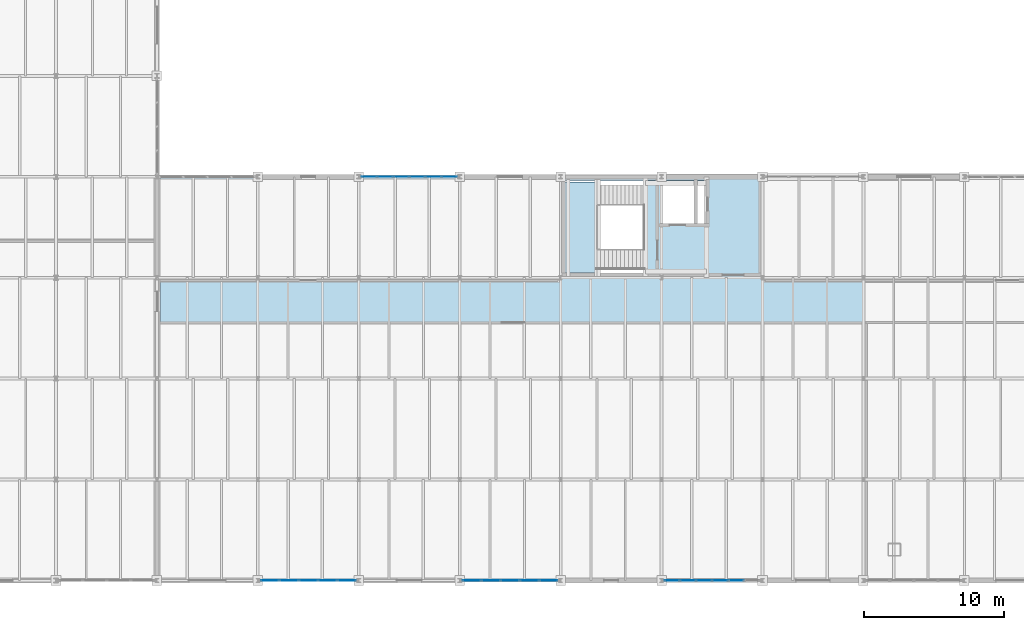
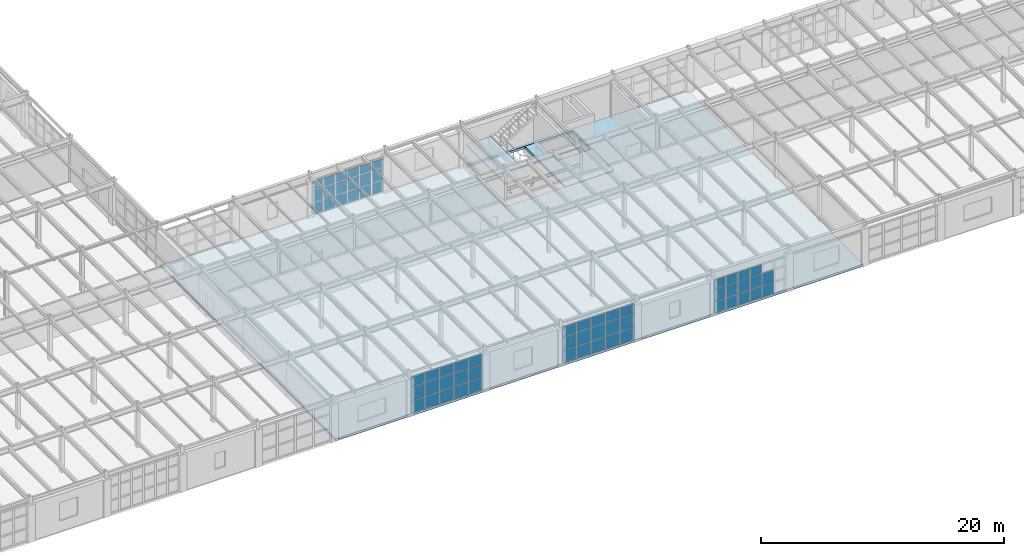
# One storey, part 111 of 137: 62 plates, 3 slabs, 5 elements without a shape of their own.
"""IFC4 building model written with IfcOpenShell, lengths in metres."""

from ifc_helpers import new_model, si_unit, direction, frame, origin, origin_2d, place, context, subcontext, project, spatial, polyline, rectangle, outline, extrude, material, layer, layer_set, type_object, element, aggregate, save


model = new_model("IFC4")

# Units and contexts
model_context = context("Model", 3, precision=1e-05, world=origin(), true_north=direction((0.0, 1.0)))
body_context = subcontext(model_context, "Body", "Model", "MODEL_VIEW")
ifc_project = project(units=[si_unit("LENGTHUNIT", "METRE"), si_unit("AREAUNIT", "SQUARE_METRE"), si_unit("VOLUMEUNIT", "CUBIC_METRE"), si_unit("PLANEANGLEUNIT", "RADIAN"), si_unit("MASSUNIT", "GRAM", prefix="KILO")], contexts=[model_context])

# Site, building, storey
site_placement = place(None, origin())
site = spatial("IfcSite", under=ifc_project, at=site_placement, CompositionType="ELEMENT")
building_placement = place(site_placement, origin())
building = spatial("IfcBuilding", under=site, at=building_placement, Name="Kemerveld Promenade Tramway Depot", CompositionType="ELEMENT")
storey_placement = place(building_placement, frame((0.0, 0.0, 5.39990234375)))
storey = spatial("IfcBuildingStorey", under=building, at=storey_placement, Name="L01", CompositionType="ELEMENT", Elevation=5.39990234375)

# Curtain wall, plates
ifc_material_1 = material(Name="Bronze anodised aluminium and solar glass", Category="aluminium")
ifc_layer_1 = layer(ifc_material_1, 0.199951171875)
ifc_layer_set_1 = layer_set([ifc_layer_1], Name="CW-SYS-12")
curtain_wall_type_1 = type_object("IfcCurtainWallType", Name="CW-SYS-12", PredefinedType="USERDEFINED", material=ifc_layer_set_1)
curtain_wall_1_placement = place(storey_placement, origin())
curtain_wall_1 = element("IfcCurtainWall", 1, at=curtain_wall_1_placement, inside=storey, type_object=curtain_wall_type_1, Name="CW-L01-V4S-09", ObjectType="GLAZED_CURTAIN_WALL", PredefinedType="USERDEFINED")
ifc_material_2 = material(Name="Solar-control laminated double glazing", Category="glass")
ifc_layer_2 = layer(ifc_material_2, 0.031982421875)
ifc_layer_set_2 = layer_set([ifc_layer_2], Name="CW-PNL-04")
plate_type_1 = type_object("IfcPlateType", Name="CW-PNL-04", PredefinedType="CURTAIN_PANEL", material=ifc_layer_set_2)
plate_1_placement = place(storey_placement, frame((98.925048828125, 0.0, 0.06494140625), z_axis=(0.0, 0.0, 1.0), x_axis=(-1.0, 0.0, 0.0)))
plate_1 = element("IfcPlate", 2, at=plate_1_placement, type_object=plate_type_1, Name="CW12 panel 2.1", PredefinedType="CURTAIN_PANEL", context=body_context, shape_type="SweptSolid", body=[
    extrude(rectangle(XDim=1.074951171875, YDim=0.031982421875, at=origin_2d()), origin(), (0.0, 0.0, 1.0), 1.097412109375),
])
plate_2_placement = place(storey_placement, frame((98.925048828125, 0.0, 1.2275390625), z_axis=(0.0, 0.0, 1.0), x_axis=(-1.0, 0.0, 0.0)))
plate_2 = element("IfcPlate", 3, at=plate_2_placement, type_object=plate_type_1, Name="CW12 panel 2.2", PredefinedType="CURTAIN_PANEL", context=body_context, shape_type="SweptSolid", body=[
    extrude(rectangle(XDim=1.074951171875, YDim=0.031982421875, at=origin_2d()), origin(), (0.0, 0.0, 1.0), 1.197998046875),
])
plate_3_placement = place(storey_placement, frame((97.77490234375, 0.0, 0.06494140625), z_axis=(0.0, 0.0, 1.0), x_axis=(-1.0, 0.0, 0.0)))
plate_3 = element("IfcPlate", 4, at=plate_3_placement, type_object=plate_type_1, Name="CW12 panel 3.1", PredefinedType="CURTAIN_PANEL", context=body_context, shape_type="SweptSolid", body=[
    extrude(rectangle(XDim=1.074951171875, YDim=0.031982421875, at=origin_2d()), origin(), (0.0, 0.0, 1.0), 1.097412109375),
])
plate_4_placement = place(storey_placement, frame((97.77490234375, 0.0, 1.2275390625), z_axis=(0.0, 0.0, 1.0), x_axis=(-1.0, 0.0, 0.0)))
plate_4 = element("IfcPlate", 5, at=plate_4_placement, type_object=plate_type_1, Name="CW12 panel 3.2", PredefinedType="CURTAIN_PANEL", context=body_context, shape_type="SweptSolid", body=[
    extrude(rectangle(XDim=1.074951171875, YDim=0.031982421875, at=origin_2d()), origin(), (0.0, 0.0, 1.0), 1.197998046875),
])
plate_5_placement = place(storey_placement, frame((97.77490234375, 0.0, 2.49072265625), z_axis=(0.0, 0.0, 1.0), x_axis=(-1.0, 0.0, 0.0)))
plate_5 = element("IfcPlate", 6, at=plate_5_placement, type_object=plate_type_1, Name="CW12 panel 3.3", PredefinedType="CURTAIN_PANEL", context=body_context, shape_type="SweptSolid", body=[
    extrude(rectangle(XDim=1.074951171875, YDim=0.031982421875, at=origin_2d()), origin(), (0.0, 0.0, 1.0), 0.858642578125),
])
plate_6_placement = place(storey_placement, frame((96.625, 0.0, 0.06494140625), z_axis=(0.0, 0.0, 1.0), x_axis=(-1.0, 0.0, 0.0)))
plate_6 = element("IfcPlate", 7, at=plate_6_placement, type_object=plate_type_1, Name="CW12 panel 4.1", PredefinedType="CURTAIN_PANEL", context=body_context, shape_type="SweptSolid", body=[
    extrude(rectangle(XDim=1.074951171875, YDim=0.031982421875, at=origin_2d()), origin(), (0.0, 0.0, 1.0), 1.097412109375),
])
plate_7_placement = place(storey_placement, frame((96.625, 0.0, 1.2275390625), z_axis=(0.0, 0.0, 1.0), x_axis=(-1.0, 0.0, 0.0)))
plate_7 = element("IfcPlate", 8, at=plate_7_placement, type_object=plate_type_1, Name="CW12 panel 4.2", PredefinedType="CURTAIN_PANEL", context=body_context, shape_type="SweptSolid", body=[
    extrude(rectangle(XDim=1.074951171875, YDim=0.031982421875, at=origin_2d()), origin(), (0.0, 0.0, 1.0), 1.197998046875),
])
plate_8_placement = place(storey_placement, frame((96.625, 0.0, 2.49072265625), z_axis=(0.0, 0.0, 1.0), x_axis=(-1.0, 0.0, 0.0)))
plate_8 = element("IfcPlate", 9, at=plate_8_placement, type_object=plate_type_1, Name="CW12 panel 4.3", PredefinedType="CURTAIN_PANEL", context=body_context, shape_type="SweptSolid", body=[
    extrude(rectangle(XDim=1.074951171875, YDim=0.031982421875, at=origin_2d()), origin(), (0.0, 0.0, 1.0), 0.858642578125),
])
plate_9_placement = place(storey_placement, frame((95.47509765625, 0.0, 0.06494140625), z_axis=(0.0, 0.0, 1.0), x_axis=(-1.0, 0.0, 0.0)))
plate_9 = element("IfcPlate", 10, at=plate_9_placement, type_object=plate_type_1, Name="CW12 panel 5.1", PredefinedType="CURTAIN_PANEL", context=body_context, shape_type="SweptSolid", body=[
    extrude(rectangle(XDim=1.074951171875, YDim=0.031982421875, at=origin_2d()), origin(), (0.0, 0.0, 1.0), 1.097412109375),
])
plate_10_placement = place(storey_placement, frame((95.47509765625, 0.0, 1.2275390625), z_axis=(0.0, 0.0, 1.0), x_axis=(-1.0, 0.0, 0.0)))
plate_10 = element("IfcPlate", 11, at=plate_10_placement, type_object=plate_type_1, Name="CW12 panel 5.2", PredefinedType="CURTAIN_PANEL", context=body_context, shape_type="SweptSolid", body=[
    extrude(rectangle(XDim=1.074951171875, YDim=0.031982421875, at=origin_2d()), origin(), (0.0, 0.0, 1.0), 1.197998046875),
])
plate_11_placement = place(storey_placement, frame((95.47509765625, 0.0, 2.49072265625), z_axis=(0.0, 0.0, 1.0), x_axis=(-1.0, 0.0, 0.0)))
plate_11 = element("IfcPlate", 12, at=plate_11_placement, type_object=plate_type_1, Name="CW12 panel 5.3", PredefinedType="CURTAIN_PANEL", context=body_context, shape_type="SweptSolid", body=[
    extrude(rectangle(XDim=1.074951171875, YDim=0.031982421875, at=origin_2d()), origin(), (0.0, 0.0, 1.0), 0.858642578125),
])
plate_12_placement = place(storey_placement, frame((94.34375, 0.0, 0.06494140625), z_axis=(0.0, 0.0, 1.0), x_axis=(-1.0, 0.0, 0.0)))
plate_12 = element("IfcPlate", 13, at=plate_12_placement, type_object=plate_type_1, Name="CW12 panel 6.1", PredefinedType="CURTAIN_PANEL", context=body_context, shape_type="SweptSolid", body=[
    extrude(rectangle(XDim=1.037353515625, YDim=0.031982421875, at=origin_2d()), origin(), (0.0, 0.0, 1.0), 1.097412109375),
])
plate_13_placement = place(storey_placement, frame((94.34375, 0.0, 1.2275390625), z_axis=(0.0, 0.0, 1.0), x_axis=(-1.0, 0.0, 0.0)))
plate_13 = element("IfcPlate", 14, at=plate_13_placement, type_object=plate_type_1, Name="CW12 panel 6.2", PredefinedType="CURTAIN_PANEL", context=body_context, shape_type="SweptSolid", body=[
    extrude(rectangle(XDim=1.037353515625, YDim=0.031982421875, at=origin_2d()), origin(), (0.0, 0.0, 1.0), 1.197998046875),
])
plate_14_placement = place(storey_placement, frame((94.34375, 0.0, 2.49072265625), z_axis=(0.0, 0.0, 1.0), x_axis=(-1.0, 0.0, 0.0)))
plate_14 = element("IfcPlate", 15, at=plate_14_placement, type_object=plate_type_1, Name="CW12 panel 6.3", PredefinedType="CURTAIN_PANEL", context=body_context, shape_type="SweptSolid", body=[
    extrude(rectangle(XDim=1.037353515625, YDim=0.031982421875, at=origin_2d()), origin(), (0.0, 0.0, 1.0), 0.858642578125),
])
aggregate(curtain_wall_1, [plate_1, plate_2, plate_3, plate_4, plate_5, plate_6, plate_7, plate_8, plate_9, plate_10, plate_11, plate_12, plate_13, plate_14])

ifc_layer_3 = layer(ifc_material_1, 0.199951171875)
ifc_layer_set_3 = layer_set([ifc_layer_3], Name="CW-SYS-14")
curtain_wall_type_2 = type_object("IfcCurtainWallType", Name="CW-SYS-14", PredefinedType="USERDEFINED", material=ifc_layer_set_3)
curtain_wall_2_placement = place(storey_placement, origin())
curtain_wall_2 = element("IfcCurtainWall", 16, at=curtain_wall_2_placement, inside=storey, type_object=curtain_wall_type_2, Name="CW-L01-V4S-11", ObjectType="GLAZED_CURTAIN_WALL", PredefinedType="USERDEFINED")
ifc_layer_4 = layer(ifc_material_2, 0.02587890625)
ifc_layer_set_4 = layer_set([ifc_layer_4], Name="CW-PNL-06")
plate_type_2 = type_object("IfcPlateType", Name="CW-PNL-06", PredefinedType="CURTAIN_PANEL", material=ifc_layer_set_4)
plate_15_placement = place(storey_placement, frame((85.541259765625, 0.0, 0.06494140625), z_axis=(0.0, 0.0, 1.0), x_axis=(-1.0, 0.0, 0.0)))
plate_15 = element("IfcPlate", 17, at=plate_15_placement, type_object=plate_type_2, Name="CW14 panel 1.1", PredefinedType="CURTAIN_PANEL", context=body_context, shape_type="SweptSolid", body=[
    extrude(rectangle(XDim=1.267578125, YDim=0.02587890625, at=origin_2d()), origin(), (0.0, 0.0, 1.0), 1.215576171875),
])
plate_16_placement = place(storey_placement, frame((85.541259765625, 0.0, 1.345703125), z_axis=(0.0, 0.0, 1.0), x_axis=(-1.0, 0.0, 0.0)))
plate_16 = element("IfcPlate", 18, at=plate_16_placement, type_object=plate_type_2, Name="CW14 panel 1.2", PredefinedType="CURTAIN_PANEL", context=body_context, shape_type="SweptSolid", body=[
    extrude(rectangle(XDim=1.267578125, YDim=0.02587890625, at=origin_2d()), origin(), (0.0, 0.0, 1.0), 1.322021484375),
])
plate_17_placement = place(storey_placement, frame((85.541259765625, 0.0, 2.732421875), z_axis=(0.0, 0.0, 1.0), x_axis=(-1.0, 0.0, 0.0)))
plate_17 = element("IfcPlate", 19, at=plate_17_placement, type_object=plate_type_2, Name="CW14 panel 1.3", PredefinedType="CURTAIN_PANEL", context=body_context, shape_type="SweptSolid", body=[
    extrude(rectangle(XDim=1.267578125, YDim=0.02587890625, at=origin_2d()), origin(), (0.0, 0.0, 1.0), 0.952392578125),
])
plate_18_placement = place(storey_placement, frame((84.179931640625, 0.0, 0.06494140625), z_axis=(0.0, 0.0, 1.0), x_axis=(-1.0, 0.0, 0.0)))
plate_18 = element("IfcPlate", 20, at=plate_18_placement, type_object=plate_type_2, Name="CW14 panel 2.1", PredefinedType="CURTAIN_PANEL", context=body_context, shape_type="SweptSolid", body=[
    extrude(rectangle(XDim=1.304931640625, YDim=0.02587890625, at=origin_2d()), origin(), (0.0, 0.0, 1.0), 1.215576171875),
])
plate_19_placement = place(storey_placement, frame((84.179931640625, 0.0, 1.345703125), z_axis=(0.0, 0.0, 1.0), x_axis=(-1.0, 0.0, 0.0)))
plate_19 = element("IfcPlate", 21, at=plate_19_placement, type_object=plate_type_2, Name="CW14 panel 2.2", PredefinedType="CURTAIN_PANEL", context=body_context, shape_type="SweptSolid", body=[
    extrude(rectangle(XDim=1.304931640625, YDim=0.02587890625, at=origin_2d()), origin(), (0.0, 0.0, 1.0), 1.322021484375),
])
plate_20_placement = place(storey_placement, frame((84.179931640625, 0.0, 2.732421875), z_axis=(0.0, 0.0, 1.0), x_axis=(-1.0, 0.0, 0.0)))
plate_20 = element("IfcPlate", 22, at=plate_20_placement, type_object=plate_type_2, Name="CW14 panel 2.3", PredefinedType="CURTAIN_PANEL", context=body_context, shape_type="SweptSolid", body=[
    extrude(rectangle(XDim=1.304931640625, YDim=0.02587890625, at=origin_2d()), origin(), (0.0, 0.0, 1.0), 0.952392578125),
])
plate_21_placement = place(storey_placement, frame((82.800048828125, 0.0, 0.06494140625), z_axis=(0.0, 0.0, 1.0), x_axis=(-1.0, 0.0, 0.0)))
plate_21 = element("IfcPlate", 23, at=plate_21_placement, type_object=plate_type_2, Name="CW14 panel 3.1", PredefinedType="CURTAIN_PANEL", context=body_context, shape_type="SweptSolid", body=[
    extrude(rectangle(XDim=1.304931640625, YDim=0.02587890625, at=origin_2d()), origin(), (0.0, 0.0, 1.0), 1.215576171875),
])
plate_22_placement = place(storey_placement, frame((82.800048828125, 0.0, 1.345703125), z_axis=(0.0, 0.0, 1.0), x_axis=(-1.0, 0.0, 0.0)))
plate_22 = element("IfcPlate", 24, at=plate_22_placement, type_object=plate_type_2, Name="CW14 panel 3.2", PredefinedType="CURTAIN_PANEL", context=body_context, shape_type="SweptSolid", body=[
    extrude(rectangle(XDim=1.304931640625, YDim=0.02587890625, at=origin_2d()), origin(), (0.0, 0.0, 1.0), 1.322021484375),
])
plate_23_placement = place(storey_placement, frame((82.800048828125, 0.0, 2.732421875), z_axis=(0.0, 0.0, 1.0), x_axis=(-1.0, 0.0, 0.0)))
plate_23 = element("IfcPlate", 25, at=plate_23_placement, type_object=plate_type_2, Name="CW14 panel 3.3", PredefinedType="CURTAIN_PANEL", context=body_context, shape_type="SweptSolid", body=[
    extrude(rectangle(XDim=1.304931640625, YDim=0.02587890625, at=origin_2d()), origin(), (0.0, 0.0, 1.0), 0.952392578125),
])
plate_24_placement = place(storey_placement, frame((81.419921875, 0.0, 0.06494140625), z_axis=(0.0, 0.0, 1.0), x_axis=(-1.0, 0.0, 0.0)))
plate_24 = element("IfcPlate", 26, at=plate_24_placement, type_object=plate_type_2, Name="CW14 panel 4.1", PredefinedType="CURTAIN_PANEL", context=body_context, shape_type="SweptSolid", body=[
    extrude(rectangle(XDim=1.304931640625, YDim=0.02587890625, at=origin_2d()), origin(), (0.0, 0.0, 1.0), 1.215576171875),
])
plate_25_placement = place(storey_placement, frame((81.419921875, 0.0, 1.345703125), z_axis=(0.0, 0.0, 1.0), x_axis=(-1.0, 0.0, 0.0)))
plate_25 = element("IfcPlate", 27, at=plate_25_placement, type_object=plate_type_2, Name="CW14 panel 4.2", PredefinedType="CURTAIN_PANEL", context=body_context, shape_type="SweptSolid", body=[
    extrude(rectangle(XDim=1.304931640625, YDim=0.02587890625, at=origin_2d()), origin(), (0.0, 0.0, 1.0), 1.322021484375),
])
plate_26_placement = place(storey_placement, frame((81.419921875, 0.0, 2.732421875), z_axis=(0.0, 0.0, 1.0), x_axis=(-1.0, 0.0, 0.0)))
plate_26 = element("IfcPlate", 28, at=plate_26_placement, type_object=plate_type_2, Name="CW14 panel 4.3", PredefinedType="CURTAIN_PANEL", context=body_context, shape_type="SweptSolid", body=[
    extrude(rectangle(XDim=1.304931640625, YDim=0.02587890625, at=origin_2d()), origin(), (0.0, 0.0, 1.0), 0.952392578125),
])
plate_27_placement = place(storey_placement, frame((80.058837890625, 0.0, 0.06494140625), z_axis=(0.0, 0.0, 1.0), x_axis=(-1.0, 0.0, 0.0)))
plate_27 = element("IfcPlate", 29, at=plate_27_placement, type_object=plate_type_2, Name="CW14 panel 5.1", PredefinedType="CURTAIN_PANEL", context=body_context, shape_type="SweptSolid", body=[
    extrude(rectangle(XDim=1.267578125, YDim=0.02587890625, at=origin_2d()), origin(), (0.0, 0.0, 1.0), 1.215576171875),
])
plate_28_placement = place(storey_placement, frame((80.058837890625, 0.0, 1.345703125), z_axis=(0.0, 0.0, 1.0), x_axis=(-1.0, 0.0, 0.0)))
plate_28 = element("IfcPlate", 30, at=plate_28_placement, type_object=plate_type_2, Name="CW14 panel 5.2", PredefinedType="CURTAIN_PANEL", context=body_context, shape_type="SweptSolid", body=[
    extrude(rectangle(XDim=1.267578125, YDim=0.02587890625, at=origin_2d()), origin(), (0.0, 0.0, 1.0), 1.322021484375),
])
plate_29_placement = place(storey_placement, frame((80.058837890625, 0.0, 2.732421875), z_axis=(0.0, 0.0, 1.0), x_axis=(-1.0, 0.0, 0.0)))
plate_29 = element("IfcPlate", 31, at=plate_29_placement, type_object=plate_type_2, Name="CW14 panel 5.3", PredefinedType="CURTAIN_PANEL", context=body_context, shape_type="SweptSolid", body=[
    extrude(rectangle(XDim=1.267578125, YDim=0.02587890625, at=origin_2d()), origin(), (0.0, 0.0, 1.0), 0.952392578125),
])
aggregate(curtain_wall_2, [plate_15, plate_16, plate_17, plate_18, plate_19, plate_20, plate_21, plate_22, plate_23, plate_24, plate_25, plate_26, plate_27, plate_28, plate_29])

ifc_layer_5 = layer(ifc_material_1, 0.199951171875)
ifc_layer_set_5 = layer_set([ifc_layer_5], Name="CW-SYS-06")
curtain_wall_type_3 = type_object("IfcCurtainWallType", Name="CW-SYS-06", PredefinedType="USERDEFINED", material=ifc_layer_set_5)
curtain_wall_3_placement = place(storey_placement, origin())
curtain_wall_3 = element("IfcCurtainWall", 32, at=curtain_wall_3_placement, inside=storey, type_object=curtain_wall_type_3, Name="CW-L01-V4N-03", ObjectType="GLAZED_CURTAIN_WALL", PredefinedType="USERDEFINED")
plate_30_placement = place(storey_placement, frame((72.743896484375, 28.800048828125, 0.065185546875), z_axis=(0.0, 0.0, 1.0), x_axis=(1.0, 0.0, 0.0)))
plate_30 = element("IfcPlate", 33, at=plate_30_placement, type_object=plate_type_2, Name="CW06 panel 1.1", PredefinedType="CURTAIN_PANEL", context=body_context, shape_type="SweptSolid", body=[
    extrude(rectangle(XDim=1.037353515625, YDim=0.02587890625, at=origin_2d()), origin(), (0.0, 0.0, 1.0), 1.08544921875),
])
plate_31_placement = place(storey_placement, frame((72.743896484375, 28.800048828125, 1.215576171875), z_axis=(0.0, 0.0, 1.0), x_axis=(1.0, 0.0, 0.0)))
plate_31 = element("IfcPlate", 34, at=plate_31_placement, type_object=plate_type_2, Name="CW06 panel 1.2", PredefinedType="CURTAIN_PANEL", context=body_context, shape_type="SweptSolid", body=[
    extrude(rectangle(XDim=1.037353515625, YDim=0.02587890625, at=origin_2d()), origin(), (0.0, 0.0, 1.0), 1.18505859375),
])
plate_32_placement = place(storey_placement, frame((72.743896484375, 28.800048828125, 2.465576171875), z_axis=(0.0, 0.0, 1.0), x_axis=(1.0, 0.0, 0.0)))
plate_32 = element("IfcPlate", 35, at=plate_32_placement, type_object=plate_type_2, Name="CW06 panel 1.3", PredefinedType="CURTAIN_PANEL", context=body_context, shape_type="SweptSolid", body=[
    extrude(rectangle(XDim=1.037353515625, YDim=0.02587890625, at=origin_2d()), origin(), (0.0, 0.0, 1.0), 0.8486328125),
])
plate_33_placement = place(storey_placement, frame((73.875, 28.800048828125, 0.065185546875), z_axis=(0.0, 0.0, 1.0), x_axis=(1.0, 0.0, 0.0)))
plate_33 = element("IfcPlate", 36, at=plate_33_placement, type_object=plate_type_2, Name="CW06 panel 2.1", PredefinedType="CURTAIN_PANEL", context=body_context, shape_type="SweptSolid", body=[
    extrude(rectangle(XDim=1.074951171875, YDim=0.02587890625, at=origin_2d()), origin(), (0.0, 0.0, 1.0), 1.08544921875),
])
plate_34_placement = place(storey_placement, frame((73.875, 28.800048828125, 1.215576171875), z_axis=(0.0, 0.0, 1.0), x_axis=(1.0, 0.0, 0.0)))
plate_34 = element("IfcPlate", 37, at=plate_34_placement, type_object=plate_type_2, Name="CW06 panel 2.2", PredefinedType="CURTAIN_PANEL", context=body_context, shape_type="SweptSolid", body=[
    extrude(rectangle(XDim=1.074951171875, YDim=0.02587890625, at=origin_2d()), origin(), (0.0, 0.0, 1.0), 1.18505859375),
])
plate_35_placement = place(storey_placement, frame((73.875, 28.800048828125, 2.465576171875), z_axis=(0.0, 0.0, 1.0), x_axis=(1.0, 0.0, 0.0)))
plate_35 = element("IfcPlate", 38, at=plate_35_placement, type_object=plate_type_2, Name="CW06 panel 2.3", PredefinedType="CURTAIN_PANEL", context=body_context, shape_type="SweptSolid", body=[
    extrude(rectangle(XDim=1.074951171875, YDim=0.02587890625, at=origin_2d()), origin(), (0.0, 0.0, 1.0), 0.8486328125),
])
plate_36_placement = place(storey_placement, frame((75.02490234375, 28.800048828125, 0.065185546875), z_axis=(0.0, 0.0, 1.0), x_axis=(1.0, 0.0, 0.0)))
plate_36 = element("IfcPlate", 39, at=plate_36_placement, type_object=plate_type_2, Name="CW06 panel 3.1", PredefinedType="CURTAIN_PANEL", context=body_context, shape_type="SweptSolid", body=[
    extrude(rectangle(XDim=1.074951171875, YDim=0.02587890625, at=origin_2d()), origin(), (0.0, 0.0, 1.0), 1.08544921875),
])
plate_37_placement = place(storey_placement, frame((75.02490234375, 28.800048828125, 1.215576171875), z_axis=(0.0, 0.0, 1.0), x_axis=(1.0, 0.0, 0.0)))
plate_37 = element("IfcPlate", 40, at=plate_37_placement, type_object=plate_type_2, Name="CW06 panel 3.2", PredefinedType="CURTAIN_PANEL", context=body_context, shape_type="SweptSolid", body=[
    extrude(rectangle(XDim=1.074951171875, YDim=0.02587890625, at=origin_2d()), origin(), (0.0, 0.0, 1.0), 1.18505859375),
])
plate_38_placement = place(storey_placement, frame((75.02490234375, 28.800048828125, 2.465576171875), z_axis=(0.0, 0.0, 1.0), x_axis=(1.0, 0.0, 0.0)))
plate_38 = element("IfcPlate", 41, at=plate_38_placement, type_object=plate_type_2, Name="CW06 panel 3.3", PredefinedType="CURTAIN_PANEL", context=body_context, shape_type="SweptSolid", body=[
    extrude(rectangle(XDim=1.074951171875, YDim=0.02587890625, at=origin_2d()), origin(), (0.0, 0.0, 1.0), 0.8486328125),
])
plate_39_placement = place(storey_placement, frame((76.175048828125, 28.800048828125, 0.065185546875), z_axis=(0.0, 0.0, 1.0), x_axis=(1.0, 0.0, 0.0)))
plate_39 = element("IfcPlate", 42, at=plate_39_placement, type_object=plate_type_2, Name="CW06 panel 4.1", PredefinedType="CURTAIN_PANEL", context=body_context, shape_type="SweptSolid", body=[
    extrude(rectangle(XDim=1.074951171875, YDim=0.02587890625, at=origin_2d()), origin(), (0.0, 0.0, 1.0), 1.08544921875),
])
plate_40_placement = place(storey_placement, frame((76.175048828125, 28.800048828125, 1.215576171875), z_axis=(0.0, 0.0, 1.0), x_axis=(1.0, 0.0, 0.0)))
plate_40 = element("IfcPlate", 43, at=plate_40_placement, type_object=plate_type_2, Name="CW06 panel 4.2", PredefinedType="CURTAIN_PANEL", context=body_context, shape_type="SweptSolid", body=[
    extrude(rectangle(XDim=1.074951171875, YDim=0.02587890625, at=origin_2d()), origin(), (0.0, 0.0, 1.0), 1.18505859375),
])
plate_41_placement = place(storey_placement, frame((76.175048828125, 28.800048828125, 2.465576171875), z_axis=(0.0, 0.0, 1.0), x_axis=(1.0, 0.0, 0.0)))
plate_41 = element("IfcPlate", 44, at=plate_41_placement, type_object=plate_type_2, Name="CW06 panel 4.3", PredefinedType="CURTAIN_PANEL", context=body_context, shape_type="SweptSolid", body=[
    extrude(rectangle(XDim=1.074951171875, YDim=0.02587890625, at=origin_2d()), origin(), (0.0, 0.0, 1.0), 0.8486328125),
])
plate_42_placement = place(storey_placement, frame((77.324951171875, 28.800048828125, 0.065185546875), z_axis=(0.0, 0.0, 1.0), x_axis=(1.0, 0.0, 0.0)))
plate_42 = element("IfcPlate", 45, at=plate_42_placement, type_object=plate_type_2, Name="CW06 panel 5.1", PredefinedType="CURTAIN_PANEL", context=body_context, shape_type="SweptSolid", body=[
    extrude(rectangle(XDim=1.074951171875, YDim=0.02587890625, at=origin_2d()), origin(), (0.0, 0.0, 1.0), 1.08544921875),
])
plate_43_placement = place(storey_placement, frame((77.324951171875, 28.800048828125, 1.215576171875), z_axis=(0.0, 0.0, 1.0), x_axis=(1.0, 0.0, 0.0)))
plate_43 = element("IfcPlate", 46, at=plate_43_placement, type_object=plate_type_2, Name="CW06 panel 5.2", PredefinedType="CURTAIN_PANEL", context=body_context, shape_type="SweptSolid", body=[
    extrude(rectangle(XDim=1.074951171875, YDim=0.02587890625, at=origin_2d()), origin(), (0.0, 0.0, 1.0), 1.18505859375),
])
plate_44_placement = place(storey_placement, frame((77.324951171875, 28.800048828125, 2.465576171875), z_axis=(0.0, 0.0, 1.0), x_axis=(1.0, 0.0, 0.0)))
plate_44 = element("IfcPlate", 47, at=plate_44_placement, type_object=plate_type_2, Name="CW06 panel 5.3", PredefinedType="CURTAIN_PANEL", context=body_context, shape_type="SweptSolid", body=[
    extrude(rectangle(XDim=1.074951171875, YDim=0.02587890625, at=origin_2d()), origin(), (0.0, 0.0, 1.0), 0.8486328125),
])
plate_45_placement = place(storey_placement, frame((78.4560546875, 28.800048828125, 0.065185546875), z_axis=(0.0, 0.0, 1.0), x_axis=(1.0, 0.0, 0.0)))
plate_45 = element("IfcPlate", 48, at=plate_45_placement, type_object=plate_type_2, Name="CW06 panel 6.1", PredefinedType="CURTAIN_PANEL", context=body_context, shape_type="SweptSolid", body=[
    extrude(rectangle(XDim=1.037353515625, YDim=0.02587890625, at=origin_2d()), origin(), (0.0, 0.0, 1.0), 1.08544921875),
])
plate_46_placement = place(storey_placement, frame((78.4560546875, 28.800048828125, 1.215576171875), z_axis=(0.0, 0.0, 1.0), x_axis=(1.0, 0.0, 0.0)))
plate_46 = element("IfcPlate", 49, at=plate_46_placement, type_object=plate_type_2, Name="CW06 panel 6.2", PredefinedType="CURTAIN_PANEL", context=body_context, shape_type="SweptSolid", body=[
    extrude(rectangle(XDim=1.037353515625, YDim=0.02587890625, at=origin_2d()), origin(), (0.0, 0.0, 1.0), 1.18505859375),
])
plate_47_placement = place(storey_placement, frame((78.4560546875, 28.800048828125, 2.465576171875), z_axis=(0.0, 0.0, 1.0), x_axis=(1.0, 0.0, 0.0)))
plate_47 = element("IfcPlate", 50, at=plate_47_placement, type_object=plate_type_2, Name="CW06 panel 6.3", PredefinedType="CURTAIN_PANEL", context=body_context, shape_type="SweptSolid", body=[
    extrude(rectangle(XDim=1.037353515625, YDim=0.02587890625, at=origin_2d()), origin(), (0.0, 0.0, 1.0), 0.8486328125),
])
aggregate(curtain_wall_3, [plate_30, plate_31, plate_32, plate_33, plate_34, plate_35, plate_36, plate_37, plate_38, plate_39, plate_40, plate_41, plate_42, plate_43, plate_44, plate_45, plate_46, plate_47])

ifc_layer_6 = layer(ifc_material_1, 0.199951171875)
ifc_layer_set_6 = layer_set([ifc_layer_6], Name="CW-SYS-02")
curtain_wall_type_4 = type_object("IfcCurtainWallType", Name="CW-SYS-02", PredefinedType="USERDEFINED", material=ifc_layer_set_6)
curtain_wall_4_placement = place(storey_placement, origin())
curtain_wall_4 = element("IfcCurtainWall", 51, at=curtain_wall_4_placement, inside=storey, type_object=curtain_wall_type_4, Name="CW-L01-V4S-13", ObjectType="GLAZED_CURTAIN_WALL", PredefinedType="USERDEFINED")
ifc_layer_7 = layer(ifc_material_2, 0.028076171875)
ifc_layer_set_7 = layer_set([ifc_layer_7], Name="CW-PNL-08")
plate_type_3 = type_object("IfcPlateType", Name="CW-PNL-08", PredefinedType="CURTAIN_PANEL", material=ifc_layer_set_7)
plate_48_placement = place(storey_placement, frame((71.14111328125, 0.0, 0.06494140625), z_axis=(0.0, 0.0, 1.0), x_axis=(-1.0, 0.0, 0.0)))
plate_48 = element("IfcPlate", 52, at=plate_48_placement, type_object=plate_type_3, Name="CW02 panel 1.1", PredefinedType="CURTAIN_PANEL", context=body_context, shape_type="SweptSolid", body=[
    extrude(rectangle(XDim=1.267578125, YDim=0.028076171875, at=origin_2d()), origin(), (0.0, 0.0, 1.0), 1.215576171875),
])
plate_49_placement = place(storey_placement, frame((71.14111328125, 0.0, 1.345703125), z_axis=(0.0, 0.0, 1.0), x_axis=(-1.0, 0.0, 0.0)))
plate_49 = element("IfcPlate", 53, at=plate_49_placement, type_object=plate_type_3, Name="CW02 panel 1.2", PredefinedType="CURTAIN_PANEL", context=body_context, shape_type="SweptSolid", body=[
    extrude(rectangle(XDim=1.267578125, YDim=0.028076171875, at=origin_2d()), origin(), (0.0, 0.0, 1.0), 1.322021484375),
])
plate_50_placement = place(storey_placement, frame((71.14111328125, 0.0, 2.732421875), z_axis=(0.0, 0.0, 1.0), x_axis=(-1.0, 0.0, 0.0)))
plate_50 = element("IfcPlate", 54, at=plate_50_placement, type_object=plate_type_3, Name="CW02 panel 1.3", PredefinedType="CURTAIN_PANEL", context=body_context, shape_type="SweptSolid", body=[
    extrude(rectangle(XDim=1.267578125, YDim=0.028076171875, at=origin_2d()), origin(), (0.0, 0.0, 1.0), 0.952392578125),
])
plate_51_placement = place(storey_placement, frame((69.780029296875, 0.0, 0.06494140625), z_axis=(0.0, 0.0, 1.0), x_axis=(-1.0, 0.0, 0.0)))
plate_51 = element("IfcPlate", 55, at=plate_51_placement, type_object=plate_type_3, Name="CW02 panel 2.1", PredefinedType="CURTAIN_PANEL", context=body_context, shape_type="SweptSolid", body=[
    extrude(rectangle(XDim=1.304931640625, YDim=0.028076171875, at=origin_2d()), origin(), (0.0, 0.0, 1.0), 1.215576171875),
])
plate_52_placement = place(storey_placement, frame((69.780029296875, 0.0, 1.345703125), z_axis=(0.0, 0.0, 1.0), x_axis=(-1.0, 0.0, 0.0)))
plate_52 = element("IfcPlate", 56, at=plate_52_placement, type_object=plate_type_3, Name="CW02 panel 2.2", PredefinedType="CURTAIN_PANEL", context=body_context, shape_type="SweptSolid", body=[
    extrude(rectangle(XDim=1.304931640625, YDim=0.028076171875, at=origin_2d()), origin(), (0.0, 0.0, 1.0), 1.322021484375),
])
plate_53_placement = place(storey_placement, frame((69.780029296875, 0.0, 2.732421875), z_axis=(0.0, 0.0, 1.0), x_axis=(-1.0, 0.0, 0.0)))
plate_53 = element("IfcPlate", 57, at=plate_53_placement, type_object=plate_type_3, Name="CW02 panel 2.3", PredefinedType="CURTAIN_PANEL", context=body_context, shape_type="SweptSolid", body=[
    extrude(rectangle(XDim=1.304931640625, YDim=0.028076171875, at=origin_2d()), origin(), (0.0, 0.0, 1.0), 0.952392578125),
])
plate_54_placement = place(storey_placement, frame((68.39990234375, 0.0, 0.06494140625), z_axis=(0.0, 0.0, 1.0), x_axis=(-1.0, 0.0, 0.0)))
plate_54 = element("IfcPlate", 58, at=plate_54_placement, type_object=plate_type_3, Name="CW02 panel 3.1", PredefinedType="CURTAIN_PANEL", context=body_context, shape_type="SweptSolid", body=[
    extrude(rectangle(XDim=1.304931640625, YDim=0.028076171875, at=origin_2d()), origin(), (0.0, 0.0, 1.0), 1.215576171875),
])
plate_55_placement = place(storey_placement, frame((68.39990234375, 0.0, 1.345703125), z_axis=(0.0, 0.0, 1.0), x_axis=(-1.0, 0.0, 0.0)))
plate_55 = element("IfcPlate", 59, at=plate_55_placement, type_object=plate_type_3, Name="CW02 panel 3.2", PredefinedType="CURTAIN_PANEL", context=body_context, shape_type="SweptSolid", body=[
    extrude(rectangle(XDim=1.304931640625, YDim=0.028076171875, at=origin_2d()), origin(), (0.0, 0.0, 1.0), 1.322021484375),
])
plate_56_placement = place(storey_placement, frame((68.39990234375, 0.0, 2.732421875), z_axis=(0.0, 0.0, 1.0), x_axis=(-1.0, 0.0, 0.0)))
plate_56 = element("IfcPlate", 60, at=plate_56_placement, type_object=plate_type_3, Name="CW02 panel 3.3", PredefinedType="CURTAIN_PANEL", context=body_context, shape_type="SweptSolid", body=[
    extrude(rectangle(XDim=1.304931640625, YDim=0.028076171875, at=origin_2d()), origin(), (0.0, 0.0, 1.0), 0.952392578125),
])
plate_57_placement = place(storey_placement, frame((67.02001953125, 0.0, 0.06494140625), z_axis=(0.0, 0.0, 1.0), x_axis=(-1.0, 0.0, 0.0)))
plate_57 = element("IfcPlate", 61, at=plate_57_placement, type_object=plate_type_3, Name="CW02 panel 4.1", PredefinedType="CURTAIN_PANEL", context=body_context, shape_type="SweptSolid", body=[
    extrude(rectangle(XDim=1.304931640625, YDim=0.028076171875, at=origin_2d()), origin(), (0.0, 0.0, 1.0), 1.215576171875),
])
plate_58_placement = place(storey_placement, frame((67.02001953125, 0.0, 1.345703125), z_axis=(0.0, 0.0, 1.0), x_axis=(-1.0, 0.0, 0.0)))
plate_58 = element("IfcPlate", 62, at=plate_58_placement, type_object=plate_type_3, Name="CW02 panel 4.2", PredefinedType="CURTAIN_PANEL", context=body_context, shape_type="SweptSolid", body=[
    extrude(rectangle(XDim=1.304931640625, YDim=0.028076171875, at=origin_2d()), origin(), (0.0, 0.0, 1.0), 1.322021484375),
])
plate_59_placement = place(storey_placement, frame((67.02001953125, 0.0, 2.732421875), z_axis=(0.0, 0.0, 1.0), x_axis=(-1.0, 0.0, 0.0)))
plate_59 = element("IfcPlate", 63, at=plate_59_placement, type_object=plate_type_3, Name="CW02 panel 4.3", PredefinedType="CURTAIN_PANEL", context=body_context, shape_type="SweptSolid", body=[
    extrude(rectangle(XDim=1.304931640625, YDim=0.028076171875, at=origin_2d()), origin(), (0.0, 0.0, 1.0), 0.952392578125),
])
plate_60_placement = place(storey_placement, frame((65.658935546875, 0.0, 0.06494140625), z_axis=(0.0, 0.0, 1.0), x_axis=(-1.0, 0.0, 0.0)))
plate_60 = element("IfcPlate", 64, at=plate_60_placement, type_object=plate_type_3, Name="CW02 panel 5.1", PredefinedType="CURTAIN_PANEL", context=body_context, shape_type="SweptSolid", body=[
    extrude(rectangle(XDim=1.267578125, YDim=0.028076171875, at=origin_2d()), origin(), (0.0, 0.0, 1.0), 1.215576171875),
])
plate_61_placement = place(storey_placement, frame((65.658935546875, 0.0, 1.345703125), z_axis=(0.0, 0.0, 1.0), x_axis=(-1.0, 0.0, 0.0)))
plate_61 = element("IfcPlate", 65, at=plate_61_placement, type_object=plate_type_3, Name="CW02 panel 5.2", PredefinedType="CURTAIN_PANEL", context=body_context, shape_type="SweptSolid", body=[
    extrude(rectangle(XDim=1.267578125, YDim=0.028076171875, at=origin_2d()), origin(), (0.0, 0.0, 1.0), 1.322021484375),
])
plate_62_placement = place(storey_placement, frame((65.658935546875, 0.0, 2.732421875), z_axis=(0.0, 0.0, 1.0), x_axis=(-1.0, 0.0, 0.0)))
plate_62 = element("IfcPlate", 66, at=plate_62_placement, type_object=plate_type_3, Name="CW02 panel 5.3", PredefinedType="CURTAIN_PANEL", context=body_context, shape_type="SweptSolid", body=[
    extrude(rectangle(XDim=1.267578125, YDim=0.028076171875, at=origin_2d()), origin(), (0.0, 0.0, 1.0), 0.952392578125),
])
aggregate(curtain_wall_4, [plate_48, plate_49, plate_50, plate_51, plate_52, plate_53, plate_54, plate_55, plate_56, plate_57, plate_58, plate_59, plate_60, plate_61, plate_62])

# Slabs
ifc_material_3 = material(Name="Concrete C40/50", Category="concrete")
ifc_layer_8 = layer(ifc_material_3, 0.219970703125)
ifc_layer_set_8 = layer_set([ifc_layer_8], Name="SL-CORE-220")
slab_type_1 = type_object("IfcSlabType", Name="SL-CORE-220", PredefinedType="FLOOR", material=ifc_layer_set_8)
slab_1_placement = place(storey_placement, frame((0.0, 0.0, -0.219970703125)))
element("IfcSlab", 67, at=slab_1_placement, inside=storey, type_object=slab_type_1, Name="SLB-CORE-C4-L01", PredefinedType="FLOOR", context=body_context, shape_type="SweptSolid", body=[
    extrude(outline(polyline([(92.320068359375, 21.85009765625), (96.949951171875, 21.85009765625), (96.949951171875, 28.550048828125), (92.320068359375, 28.550048828125), (92.320068359375, 21.85009765625)]), holes=[polyline([(93.60009765625, 25.47998046875), (95.949951171875, 25.47998046875), (95.949951171875, 28.47998046875), (93.60009765625, 28.47998046875), (93.60009765625, 25.47998046875)]), polyline([(96.14990234375, 25.47998046875), (96.780029296875, 25.47998046875), (96.780029296875, 28.47998046875), (96.14990234375, 28.47998046875), (96.14990234375, 25.47998046875)])]), origin(), (0.0, 0.0, 1.0), 0.219970703125),
])
ifc_material_4 = material(Name="Concrete C35/45", Category="concrete")
ifc_layer_9 = layer(ifc_material_4, 0.22509765625)
ifc_layer_set_9 = layer_set([ifc_layer_9], Name="SL-FL03")
slab_type_2 = type_object("IfcSlabType", Name="SL-FL03", PredefinedType="FLOOR", material=ifc_layer_set_9)
slab_2_placement = place(storey_placement, frame((0.0, 0.0, -0.224853515625)))
element("IfcSlab", 68, at=slab_2_placement, inside=storey, type_object=slab_type_2, Name="SLB-L01-V4A", PredefinedType="FLOOR", context=body_context, shape_type="SweptSolid", body=[
    extrude(outline(polyline([(57.860107421875, 0.0), (108.0, 0.0), (108.0, 28.800048828125), (57.860107421875, 28.800048828125), (57.860107421875, 0.0)]), holes=[polyline([(86.64990234375, 21.85009765625), (96.949951171875, 21.85009765625), (96.949951171875, 28.550048828125), (86.64990234375, 28.550048828125), (86.64990234375, 21.85009765625)])]), origin(), (0.0, 0.0, 1.0), 0.224853515625),
])

# Stair, slab
stair_type = type_object("IfcStairType", Name="STR-HT-TYP", PredefinedType="HALF_TURN_STAIR", material=ifc_material_3)
stair_placement = place(storey_placement, origin())
stair = element("IfcStair", 69, at=stair_placement, inside=storey, type_object=stair_type, Name="ST-04-L01", PredefinedType="HALF_TURN_STAIR")
ifc_layer_10 = layer(ifc_material_3, 0.179931640625)
ifc_layer_set_10 = layer_set([ifc_layer_10], Name="SL-LND-180")
slab_type_3 = type_object("IfcSlabType", Name="SL-LND-180", PredefinedType="LANDING", material=ifc_layer_set_10)
slab_3_placement = place(storey_placement, frame((0.0, 0.0, 2.070068359375)))
slab_3 = element("IfcSlab", 70, at=slab_3_placement, type_object=slab_type_3, Name="ST-04-L01 landing 1", PredefinedType="LANDING", context=body_context, shape_type="SweptSolid", body=[
    extrude(outline(polyline([(86.679931640625, 21.9599609375), (88.97998046875, 21.9599609375), (88.97998046875, 28.43994140625), (86.679931640625, 28.43994140625), (86.679931640625, 21.9599609375)])), origin(), (0.0, 0.0, 1.0), 0.179931640625),
])
aggregate(stair, [slab_3])

save(model, "model.ifc")
